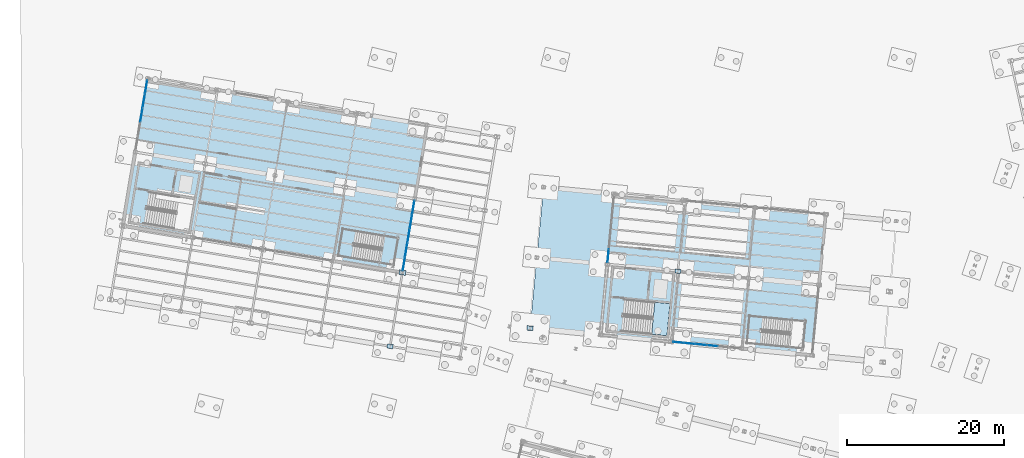
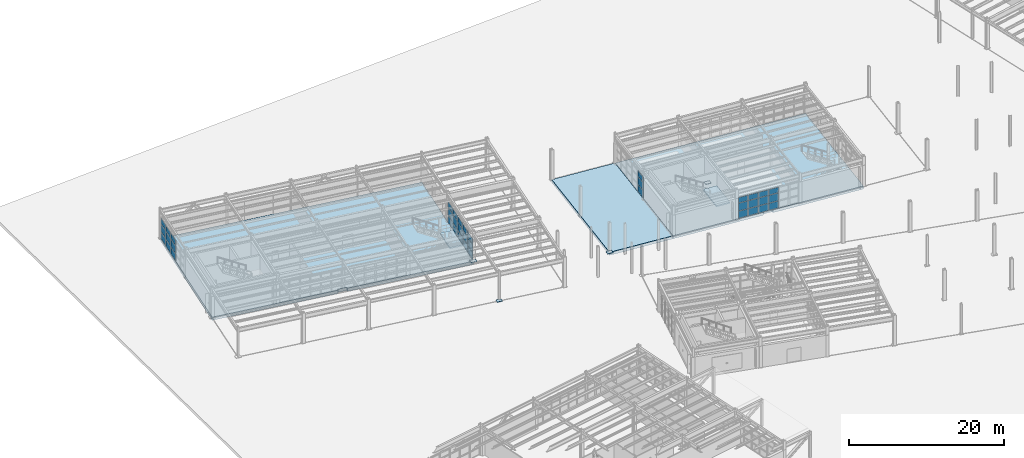
# One storey, part 64 of 108: 43 plates, 5 slabs, 6 elements without a shape of their own.
"""IFC4 building model written with IfcOpenShell, lengths in metres."""

import ifcopenshell
import ifcopenshell.guid

model = None  # the IFC model being written
_history = None  # IfcOwnerHistory: only IFC2X3 demands one
_inside = {}  # id of a spatial element -> (the spatial element, [elements in it])
_under = {}  # id of a project, library or spatial element -> (it, [spatial elements below it])
_declared = {}  # id of a project -> (the project, [libraries it declares])
_typed = {}  # id of a type object -> (the type object, [elements of that type])
_made_of = {}  # id of a material, layer set ... -> (it, [elements and type objects made of it])


def new_model(schema):
    """Start an empty IFC model of exactly this schema.

    Asked for "IFC4X3", IfcOpenShell would pick the latest addendum, in which some entities
    have other attributes; the version numbers below select the first issue.
    IFC2X3 requires an IfcOwnerHistory on every rooted entity: one is made here for all.
    """
    global model, _history
    if schema == "IFC4X3":
        model = ifcopenshell.file(schema_version=(4, 3, 0, 0))
    else:
        model = ifcopenshell.file(schema=schema)
    _inside.clear()
    _under.clear()
    _declared.clear()
    _typed.clear()
    _made_of.clear()
    _history = None
    if model.schema == "IFC2X3":
        org = make("IfcOrganization", Name="unknown")
        user = make(
            "IfcPersonAndOrganization",
            ThePerson=make("IfcPerson", FamilyName="unknown"),
            TheOrganization=org,
        )
        app = make(
            "IfcApplication",
            ApplicationDeveloper=org,
            Version="unknown",
            ApplicationFullName="unknown",
            ApplicationIdentifier="unknown",
        )
        _history = make(
            "IfcOwnerHistory",
            OwningUser=user,
            OwningApplication=app,
            ChangeAction="ADDED",
            CreationDate=0,
        )
    return model


def make(cls, **values):
    """One entity of the class cls with the attributes given. An attribute that is None is left unset."""
    return model.create_entity(
        cls, **{name: value for name, value in values.items() if value is not None}
    )


def rooted(cls, **values):
    """An entity with a GlobalId (a new one), such as an element, a storey or a relation."""
    return make(cls, GlobalId=ifcopenshell.guid.new(), OwnerHistory=_history, **values)


def si_unit(unit_type, name, prefix=None):
    """IfcSIUnit, for example si_unit("LENGTHUNIT", "METRE", prefix="MILLI")."""
    return make("IfcSIUnit", UnitType=unit_type, Prefix=prefix, Name=name)


def assignment(units):
    """IfcUnitAssignment: the units of a project."""
    return None if units is None else make("IfcUnitAssignment", Units=units)


def point(xyz):
    """IfcCartesianPoint."""
    return None if xyz is None else make("IfcCartesianPoint", Coordinates=xyz)


def direction(xyz):
    """IfcDirection."""
    return None if xyz is None else make("IfcDirection", DirectionRatios=xyz)


def frame(location, z_axis=None, x_axis=None):
    """IfcAxis2Placement3D, a coordinate frame: its origin and axes. An axis left out is left unset."""
    return make(
        "IfcAxis2Placement3D",
        Location=point(location),
        Axis=direction(z_axis),
        RefDirection=direction(x_axis),
    )


def frame_2d(location, x_axis=None):
    """IfcAxis2Placement2D, a coordinate frame in the plane: its origin and x axis."""
    return make(
        "IfcAxis2Placement2D", Location=point(location), RefDirection=direction(x_axis)
    )


def origin():
    """The frame at (0, 0, 0) with its axes left unset."""
    return frame((0.0, 0.0, 0.0))


def origin_2d():
    """The frame at (0, 0) in the plane with its x axis left unset."""
    return frame_2d((0.0, 0.0))


def place(relative_to, where):
    """IfcLocalPlacement: puts the frame where relative to a parent placement (None: the world)."""
    return make(
        "IfcLocalPlacement", PlacementRelTo=relative_to, RelativePlacement=where
    )


def context(
    kind, dimensions, precision=None, world=None, true_north=None, identifier=None
):
    """IfcGeometricRepresentationContext, for example the 3D "Model" context."""
    return make(
        "IfcGeometricRepresentationContext",
        ContextIdentifier=identifier,
        ContextType=kind,
        CoordinateSpaceDimension=dimensions,
        Precision=precision,
        WorldCoordinateSystem=world,
        TrueNorth=true_north,
    )


def subcontext(parent, identifier, kind, view, scale=None):
    """IfcGeometricRepresentationSubContext, for example "Body" below "Model"."""
    return make(
        "IfcGeometricRepresentationSubContext",
        ContextIdentifier=identifier,
        ContextType=kind,
        ParentContext=parent,
        TargetScale=scale,
        TargetView=view,
    )


def project(units=None, contexts=None):
    """IfcProject with its units and contexts."""
    return rooted(
        "IfcProject",
        Name="project",
        RepresentationContexts=contexts,
        UnitsInContext=assignment(units),
    )


def spatial(cls, under=None, at=None, **own):
    """A site, building, storey or space (cls), placed at a placement, below another one or the project."""
    s = rooted(cls, ObjectPlacement=at, **own)
    if under is not None:
        _under.setdefault(under.id(), (under, []))[1].append(s)
    return s


def polyline(points):
    """IfcPolyline through the points."""
    return make("IfcPolyline", Points=[point(p) for p in points])


def profile(cls, at=None, kind="AREA", **sizes):
    """A parametric profile (cls). Its sizes go by their IFC names, for example OverallWidth=200.0."""
    return make(cls, ProfileType=kind, Position=at, **sizes)


def rectangle(**sizes):
    """IfcRectangleProfileDef."""
    return profile("IfcRectangleProfileDef", **sizes)


def outline(outer, holes=None, kind="AREA"):
    """IfcArbitraryClosedProfileDef: a profile drawn as a closed curve; with holes, ...WithVoids."""
    if holes is None:
        return make("IfcArbitraryClosedProfileDef", ProfileType=kind, OuterCurve=outer)
    return make(
        "IfcArbitraryProfileDefWithVoids",
        ProfileType=kind,
        OuterCurve=outer,
        InnerCurves=holes,
    )


def extrude(swept, where, along, depth):
    """IfcExtrudedAreaSolid: the profile swept, set in the frame where, extruded along a direction by depth."""
    return make(
        "IfcExtrudedAreaSolid",
        SweptArea=swept,
        Position=where,
        ExtrudedDirection=direction(along),
        Depth=depth,
    )


def shape(context_of_items, identifier, shape_type, items):
    """IfcShapeRepresentation: the items that make up one representation, for example the "Body"."""
    return make(
        "IfcShapeRepresentation",
        ContextOfItems=context_of_items,
        RepresentationIdentifier=identifier,
        RepresentationType=shape_type,
        Items=items,
    )


def material(Name=None, Category=None):
    """IfcMaterial."""
    return make("IfcMaterial", Name=Name, Category=Category)


def layer(
    of_material, thickness, ventilated=None, Name=None, Category=None, Priority=None
):
    """IfcMaterialLayer: one layer of a wall or slab, of a material (None: an air gap)."""
    return make(
        "IfcMaterialLayer",
        Material=of_material,
        LayerThickness=thickness,
        IsVentilated=ventilated,
        Name=Name,
        Category=Category,
        Priority=Priority,
    )


def layer_set(layers, Name=None):
    """IfcMaterialLayerSet."""
    return make("IfcMaterialLayerSet", MaterialLayers=layers, LayerSetName=Name)


def made_of(thing, what):
    """Note that an element or type object is made of a material, layer set ...; save() writes the relation."""
    if what is not None:
        _made_of.setdefault(what.id(), (what, []))[1].append(thing)
    return thing


def type_object(cls, material=None, **own):
    """A type object (cls), such as IfcWallType, which elements share."""
    return made_of(rooted(cls, **own), material)


def element(
    cls,
    number,
    at=None,
    inside=None,
    cuts=None,
    type_object=None,
    material=None,
    context=None,
    identifier="Body",
    shape_type=None,
    held_by="IfcProductDefinitionShape",
    body=None,
    shapes=None,
    **own,
):
    """One element of the class cls, such as IfcWall. Its Tag is "e" and its number.

    at: its placement. inside: the storey or other place that contains it. cuts: it is an
    opening in that element (IfcRelVoidsElement). A single representation is given by context,
    identifier, shape_type and body (its items); several are given by shapes. held_by: the class
    of the entity that holds the representations. save() writes the other relations.
    """
    e = rooted(cls, Tag="e%d" % number, ObjectPlacement=at, **own)
    if body is not None:
        shapes = [shape(context, identifier, shape_type, body)]
    if shapes is not None:
        e.Representation = make(held_by, Representations=shapes)
    if inside is not None:
        _inside.setdefault(inside.id(), (inside, []))[1].append(e)
    if cuts is not None:
        rooted(
            "IfcRelVoidsElement", RelatingBuildingElement=cuts, RelatedOpeningElement=e
        )
    if type_object is not None:
        _typed.setdefault(type_object.id(), (type_object, []))[1].append(e)
    return made_of(e, material)


def aggregate(whole, parts):
    """IfcRelAggregates: a whole, such as a stair, and the parts it consists of."""
    return rooted("IfcRelAggregates", RelatingObject=whole, RelatedObjects=parts)


def save(model, path):
    """Write the relations noted so far, then the file.

    IfcRelAggregates (storeys below a building ...), IfcRelContainedInSpatialStructure (elements
    in a storey), IfcRelDefinesByType, IfcRelAssociatesMaterial and IfcRelDeclares: one each for
    every whole, place, type object, material and project.
    """
    for whole, parts in _under.values():
        aggregate(whole, parts)
    for where, things in _inside.values():
        rooted(
            "IfcRelContainedInSpatialStructure",
            RelatedElements=things,
            RelatingStructure=where,
        )
    for kind, things in _typed.values():
        rooted("IfcRelDefinesByType", RelatedObjects=things, RelatingType=kind)
    for what, things in _made_of.values():
        rooted("IfcRelAssociatesMaterial", RelatedObjects=things, RelatingMaterial=what)
    for by, libraries in _declared.values():
        rooted("IfcRelDeclares", RelatingContext=by, RelatedDefinitions=libraries)
    model.write(path)


model = new_model("IFC4")

# Units and contexts
model_context = context("Model", 3, precision=1e-05, world=origin(), true_north=direction((0.0, 1.0)))
body_context = subcontext(model_context, "Body", "Model", "MODEL_VIEW")
ifc_project = project(units=[si_unit("LENGTHUNIT", "METRE"), si_unit("AREAUNIT", "SQUARE_METRE"), si_unit("VOLUMEUNIT", "CUBIC_METRE"), si_unit("PLANEANGLEUNIT", "RADIAN"), si_unit("MASSUNIT", "GRAM", prefix="KILO")], contexts=[model_context])

# Site, building, storey
site_placement = place(None, origin())
site = spatial("IfcSite", under=ifc_project, at=site_placement, CompositionType="ELEMENT")
building_placement = place(site_placement, origin())
building = spatial("IfcBuilding", under=site, at=building_placement, Name="Vireo Bluff Cable Station", CompositionType="ELEMENT")
storey_placement = place(building_placement, origin())
storey = spatial("IfcBuildingStorey", under=building, at=storey_placement, Name="L00", CompositionType="ELEMENT", Elevation=0.0)

# Plates
ifc_material_1 = material(Name="Steel ASTM A572 Gr. 50", Category="steel")
ifc_layer_1 = layer(ifc_material_1, 0.047119140625, Name="Steel ASTM A572 Gr. 50")
ifc_layer_set_1 = layer_set([ifc_layer_1], Name="Steel ASTM A572 Gr. 50")
plate_type_1 = type_object("IfcPlateType", Name="BASEPLATE-740X550X47", PredefinedType="SHEET", material=ifc_layer_set_1)
for number, where, z_axis, x_axis, name in (
    (1, (77.559326171875, 75.099853515625, 0.0), (0.0, 0.0, 1.0), (0.995396198367, -0.09584575252, 0.0), "V3 column baseplate 126"),
    (2, (41.00634765625, 65.558349609375, 0.0), (0.0, 0.0, 1.0), (0.986285601537, -0.165047605861, 0.0), "V4 column baseplate 174"),
):
    element("IfcPlate", number, at=place(storey_placement, frame(where, z_axis=z_axis, x_axis=x_axis)), inside=storey, type_object=plate_type_1, Name=name, PredefinedType="SHEET", context=body_context, shape_type="SweptSolid", body=[
        extrude(rectangle(XDim=0.739990234375, YDim=0.550048828125, at=origin_2d()), origin(), (0.0, 0.0, 1.0), 0.047119140625),
    ])
ifc_layer_2 = layer(ifc_material_1, 0.050048828125, Name="Steel ASTM A572 Gr. 50")
ifc_layer_set_2 = layer_set([ifc_layer_2], Name="Steel ASTM A572 Gr. 50")
plate_type_2 = type_object("IfcPlateType", Name="BASEPLATE-780X580X50", PredefinedType="SHEET", material=ifc_layer_set_2)
plate_1_placement = place(storey_placement, frame((58.779541015625, 67.866455078125, 0.0), z_axis=(0.0, 0.0, 1.0), x_axis=(0.995396198367, -0.09584575252, 0.0)))
element("IfcPlate", 3, at=plate_1_placement, inside=storey, type_object=plate_type_2, Name="V3 column baseplate 119", PredefinedType="SHEET", context=body_context, shape_type="SweptSolid", body=[
    extrude(rectangle(XDim=0.780029296875, YDim=0.580078125, at=origin_2d()), origin(), (0.0, 0.0, 1.0), 0.050048828125),
])
ifc_layer_3 = layer(ifc_material_1, 0.052001953125, Name="Steel ASTM A572 Gr. 50")
ifc_layer_set_3 = layer_set([ifc_layer_3], Name="Steel ASTM A572 Gr. 50")
plate_type_3 = type_object("IfcPlateType", Name="BASEPLATE-820X600X52", PredefinedType="SHEET", material=ifc_layer_set_3)
plate_2_placement = place(storey_placement, frame((42.57421875, 74.927978515625, 0.0), z_axis=(0.0, 0.0, 1.0), x_axis=(0.986285601537, -0.165047605861, 0.0)))
element("IfcPlate", 4, at=plate_2_placement, inside=storey, type_object=plate_type_3, Name="V4 column baseplate 175", PredefinedType="SHEET", context=body_context, shape_type="SweptSolid", body=[
    extrude(rectangle(XDim=0.820068359375, YDim=0.60009765625, at=origin_2d()), origin(), (0.0, 0.0, 1.0), 0.052001953125),
])

# Curtain wall, plates
ifc_material_2 = material(Name="Anodized Aluminium 6063-T6", Category="aluminium")
ifc_layer_4 = layer(ifc_material_2, 0.179931640625, Name="Anodized Aluminium 6063-T6")
ifc_layer_set_4 = layer_set([ifc_layer_4], Name="Anodized Aluminium 6063-T6")
curtain_wall_type_1 = type_object("IfcCurtainWallType", Name="CW-UNIT-1500", PredefinedType="USERDEFINED", material=ifc_layer_set_4)
curtain_wall_1_placement = place(storey_placement, origin())
curtain_wall_1 = element("IfcCurtainWall", 5, at=curtain_wall_1_placement, inside=storey, type_object=curtain_wall_type_1, Name="V3 L00 south curtain wall CW-067", ObjectType="UNITISED CURTAIN WALL", PredefinedType="USERDEFINED")
ifc_material_3 = material(Name="Laminated Low-E Insulated Glass", Category="glass")
ifc_layer_5 = layer(ifc_material_3, 0.035888671875, Name="Laminated Low-E Insulated Glass")
ifc_layer_set_5 = layer_set([ifc_layer_5], Name="Laminated Low-E Insulated Glass")
plate_type_4 = type_object("IfcPlateType", Name="CWP-36-3", PredefinedType="CURTAIN_PANEL", material=ifc_layer_set_5)
plate_3_placement = place(storey_placement, frame((81.9326171875, 65.63720703125, 0.080078125), z_axis=(0.0, 0.0, 1.0), x_axis=(-0.995396201092, 0.09584572422, 0.0)))
plate_3 = element("IfcPlate", 6, at=plate_3_placement, type_object=plate_type_4, Name="CW-067 panel 3.1", PredefinedType="CURTAIN_PANEL", context=body_context, shape_type="SweptSolid", body=[
    extrude(rectangle(XDim=1.3642578125, YDim=0.035888671875, at=origin_2d()), origin(), (0.0, 0.0, 1.0), 1.070068359375),
])
plate_4_placement = place(storey_placement, frame((81.9326171875, 65.63720703125, 1.22998046875), z_axis=(0.0, 0.0, 1.0), x_axis=(-0.995396201092, 0.09584572422, 0.0)))
plate_4 = element("IfcPlate", 7, at=plate_4_placement, type_object=plate_type_4, Name="CW-067 panel 3.2", PredefinedType="CURTAIN_PANEL", context=body_context, shape_type="SweptSolid", body=[
    extrude(rectangle(XDim=1.3642578125, YDim=0.035888671875, at=origin_2d()), origin(), (0.0, 0.0, 1.0), 1.177978515625),
])
plate_5_placement = place(storey_placement, frame((81.9326171875, 65.63720703125, 2.488037109375), z_axis=(0.0, 0.0, 1.0), x_axis=(-0.995396201092, 0.09584572422, 0.0)))
plate_5 = element("IfcPlate", 8, at=plate_5_placement, type_object=plate_type_4, Name="CW-067 panel 3.3", PredefinedType="CURTAIN_PANEL", context=body_context, shape_type="SweptSolid", body=[
    extrude(rectangle(XDim=1.3642578125, YDim=0.035888671875, at=origin_2d()), origin(), (0.0, 0.0, 1.0), 0.83203125),
])
plate_6_placement = place(storey_placement, frame((80.494873046875, 65.775634765625, 0.080078125), z_axis=(0.0, 0.0, 1.0), x_axis=(-0.995396201092, 0.09584572422, 0.0)))
plate_6 = element("IfcPlate", 9, at=plate_6_placement, type_object=plate_type_4, Name="CW-067 panel 4.1", PredefinedType="CURTAIN_PANEL", context=body_context, shape_type="SweptSolid", body=[
    extrude(rectangle(XDim=1.3642578125, YDim=0.035888671875, at=origin_2d()), origin(), (0.0, 0.0, 1.0), 1.070068359375),
])
plate_7_placement = place(storey_placement, frame((80.494873046875, 65.775634765625, 1.22998046875), z_axis=(0.0, 0.0, 1.0), x_axis=(-0.995396201092, 0.09584572422, 0.0)))
plate_7 = element("IfcPlate", 10, at=plate_7_placement, type_object=plate_type_4, Name="CW-067 panel 4.2", PredefinedType="CURTAIN_PANEL", context=body_context, shape_type="SweptSolid", body=[
    extrude(rectangle(XDim=1.3642578125, YDim=0.035888671875, at=origin_2d()), origin(), (0.0, 0.0, 1.0), 1.177978515625),
])
plate_8_placement = place(storey_placement, frame((80.494873046875, 65.775634765625, 2.488037109375), z_axis=(0.0, 0.0, 1.0), x_axis=(-0.995396201092, 0.09584572422, 0.0)))
plate_8 = element("IfcPlate", 11, at=plate_8_placement, type_object=plate_type_4, Name="CW-067 panel 4.3", PredefinedType="CURTAIN_PANEL", context=body_context, shape_type="SweptSolid", body=[
    extrude(rectangle(XDim=1.3642578125, YDim=0.035888671875, at=origin_2d()), origin(), (0.0, 0.0, 1.0), 0.83203125),
])
plate_9_placement = place(storey_placement, frame((79.05712890625, 65.9140625, 0.080078125), z_axis=(0.0, 0.0, 1.0), x_axis=(-0.995396201092, 0.09584572422, 0.0)))
plate_9 = element("IfcPlate", 12, at=plate_9_placement, type_object=plate_type_4, Name="CW-067 panel 5.1", PredefinedType="CURTAIN_PANEL", context=body_context, shape_type="SweptSolid", body=[
    extrude(rectangle(XDim=1.3642578125, YDim=0.035888671875, at=origin_2d()), origin(), (0.0, 0.0, 1.0), 1.070068359375),
])
plate_10_placement = place(storey_placement, frame((79.05712890625, 65.9140625, 1.22998046875), z_axis=(0.0, 0.0, 1.0), x_axis=(-0.995396201092, 0.09584572422, 0.0)))
plate_10 = element("IfcPlate", 13, at=plate_10_placement, type_object=plate_type_4, Name="CW-067 panel 5.2", PredefinedType="CURTAIN_PANEL", context=body_context, shape_type="SweptSolid", body=[
    extrude(rectangle(XDim=1.3642578125, YDim=0.035888671875, at=origin_2d()), origin(), (0.0, 0.0, 1.0), 1.177978515625),
])
plate_11_placement = place(storey_placement, frame((79.05712890625, 65.9140625, 2.488037109375), z_axis=(0.0, 0.0, 1.0), x_axis=(-0.995396201092, 0.09584572422, 0.0)))
plate_11 = element("IfcPlate", 14, at=plate_11_placement, type_object=plate_type_4, Name="CW-067 panel 5.3", PredefinedType="CURTAIN_PANEL", context=body_context, shape_type="SweptSolid", body=[
    extrude(rectangle(XDim=1.3642578125, YDim=0.035888671875, at=origin_2d()), origin(), (0.0, 0.0, 1.0), 0.83203125),
])
plate_12_placement = place(storey_placement, frame((77.639404296875, 66.050537109375, 0.080078125), z_axis=(0.0, 0.0, 1.0), x_axis=(-0.995396201092, 0.09584572422, 0.0)))
plate_12 = element("IfcPlate", 15, at=plate_12_placement, type_object=plate_type_4, Name="CW-067 panel 6.1", PredefinedType="CURTAIN_PANEL", context=body_context, shape_type="SweptSolid", body=[
    extrude(rectangle(XDim=1.32421875, YDim=0.035888671875, at=origin_2d()), origin(), (0.0, 0.0, 1.0), 1.070068359375),
])
plate_13_placement = place(storey_placement, frame((77.639404296875, 66.050537109375, 1.22998046875), z_axis=(0.0, 0.0, 1.0), x_axis=(-0.995396201092, 0.09584572422, 0.0)))
plate_13 = element("IfcPlate", 16, at=plate_13_placement, type_object=plate_type_4, Name="CW-067 panel 6.2", PredefinedType="CURTAIN_PANEL", context=body_context, shape_type="SweptSolid", body=[
    extrude(rectangle(XDim=1.32421875, YDim=0.035888671875, at=origin_2d()), origin(), (0.0, 0.0, 1.0), 1.177978515625),
])
plate_14_placement = place(storey_placement, frame((77.639404296875, 66.050537109375, 2.488037109375), z_axis=(0.0, 0.0, 1.0), x_axis=(-0.995396201092, 0.09584572422, 0.0)))
plate_14 = element("IfcPlate", 17, at=plate_14_placement, type_object=plate_type_4, Name="CW-067 panel 6.3", PredefinedType="CURTAIN_PANEL", context=body_context, shape_type="SweptSolid", body=[
    extrude(rectangle(XDim=1.32421875, YDim=0.035888671875, at=origin_2d()), origin(), (0.0, 0.0, 1.0), 0.83203125),
])
aggregate(curtain_wall_1, [plate_3, plate_4, plate_5, plate_6, plate_7, plate_8, plate_9, plate_10, plate_11, plate_12, plate_13, plate_14])

ifc_layer_6 = layer(ifc_material_2, 0.179931640625, Name="Anodized Aluminium 6063-T6")
ifc_layer_set_6 = layer_set([ifc_layer_6], Name="Anodized Aluminium 6063-T6")
curtain_wall_type_2 = type_object("IfcCurtainWallType", Name="CW-UNIT-1650", PredefinedType="USERDEFINED", material=ifc_layer_set_6)
curtain_wall_2_placement = place(storey_placement, origin())
curtain_wall_2 = element("IfcCurtainWall", 18, at=curtain_wall_2_placement, inside=storey, type_object=curtain_wall_type_2, Name="V3 L00 west curtain wall CW-068", ObjectType="UNITISED CURTAIN WALL", PredefinedType="USERDEFINED")
ifc_material_4 = material(Name="Insulated Spandrel Glass Panel", Category="glass")
ifc_layer_7 = layer(ifc_material_4, 0.0419921875, Name="Insulated Spandrel Glass Panel")
ifc_layer_set_7 = layer_set([ifc_layer_7], Name="Insulated Spandrel Glass Panel")
plate_type_5 = type_object("IfcPlateType", Name="CWP-42-4", PredefinedType="CURTAIN_PANEL", material=ifc_layer_set_7)
plate_15_placement = place(storey_placement, frame((68.705078125, 77.047607421875, 0.06494140625), z_axis=(0.0, 0.0, 1.0), x_axis=(0.095845740533, 0.995396199521, 0.0)))
plate_15 = element("IfcPlate", 19, at=plate_15_placement, type_object=plate_type_5, Name="CW-068 panel 1.1", PredefinedType="CURTAIN_PANEL", context=body_context, shape_type="SweptSolid", body=[
    extrude(rectangle(XDim=1.62939453125, YDim=0.0419921875, at=origin_2d()), origin(), (0.0, 0.0, 1.0), 1.092529296875),
])
plate_16_placement = place(storey_placement, frame((68.705078125, 77.047607421875, 1.22265625), z_axis=(0.0, 0.0, 1.0), x_axis=(0.095845740533, 0.995396199521, 0.0)))
plate_16 = element("IfcPlate", 20, at=plate_16_placement, type_object=plate_type_5, Name="CW-068 panel 1.2", PredefinedType="CURTAIN_PANEL", context=body_context, shape_type="SweptSolid", body=[
    extrude(rectangle(XDim=1.62939453125, YDim=0.0419921875, at=origin_2d()), origin(), (0.0, 0.0, 1.0), 1.193115234375),
])
plate_17_placement = place(storey_placement, frame((68.705078125, 77.047607421875, 2.48046875), z_axis=(0.0, 0.0, 1.0), x_axis=(0.095845740533, 0.995396199521, 0.0)))
plate_17 = element("IfcPlate", 21, at=plate_17_placement, type_object=plate_type_5, Name="CW-068 panel 1.3", PredefinedType="CURTAIN_PANEL", context=body_context, shape_type="SweptSolid", body=[
    extrude(rectangle(XDim=1.62939453125, YDim=0.0419921875, at=origin_2d()), origin(), (0.0, 0.0, 1.0), 0.8544921875),
])
aggregate(curtain_wall_2, [plate_15, plate_16, plate_17])

ifc_layer_8 = layer(ifc_material_2, 0.159912109375, Name="Anodized Aluminium 6063-T6")
ifc_layer_set_8 = layer_set([ifc_layer_8], Name="Anodized Aluminium 6063-T6")
curtain_wall_type_3 = type_object("IfcCurtainWallType", Name="CW-STICK-1850", PredefinedType="USERDEFINED", material=ifc_layer_set_8)
curtain_wall_3_placement = place(storey_placement, origin())
curtain_wall_3 = element("IfcCurtainWall", 22, at=curtain_wall_3_placement, inside=storey, type_object=curtain_wall_type_3, Name="V4 L00 west curtain wall CW-083", ObjectType="STICK CURTAIN WALL", PredefinedType="USERDEFINED")
plate_18_placement = place(storey_placement, frame((9.421875, 94.935546875, 0.080078125), z_axis=(0.0, 0.0, 1.0), x_axis=(0.165047582605, 0.986285605429, 0.0)))
plate_18 = element("IfcPlate", 23, at=plate_18_placement, type_object=plate_type_5, Name="CW-083 panel 3.1", PredefinedType="CURTAIN_PANEL", context=body_context, shape_type="SweptSolid", body=[
    extrude(rectangle(XDim=1.743896484375, YDim=0.0419921875, at=origin_2d()), origin(), (0.0, 0.0, 1.0), 1.070068359375),
])
plate_19_placement = place(storey_placement, frame((9.421875, 94.935546875, 1.22998046875), z_axis=(0.0, 0.0, 1.0), x_axis=(0.165047582605, 0.986285605429, 0.0)))
plate_19 = element("IfcPlate", 24, at=plate_19_placement, type_object=plate_type_5, Name="CW-083 panel 3.2", PredefinedType="CURTAIN_PANEL", context=body_context, shape_type="SweptSolid", body=[
    extrude(rectangle(XDim=1.743896484375, YDim=0.0419921875, at=origin_2d()), origin(), (0.0, 0.0, 1.0), 1.177978515625),
])
plate_20_placement = place(storey_placement, frame((9.421875, 94.935546875, 2.488037109375), z_axis=(0.0, 0.0, 1.0), x_axis=(0.165047582605, 0.986285605429, 0.0)))
plate_20 = element("IfcPlate", 25, at=plate_20_placement, type_object=plate_type_5, Name="CW-083 panel 3.3", PredefinedType="CURTAIN_PANEL", context=body_context, shape_type="SweptSolid", body=[
    extrude(rectangle(XDim=1.743896484375, YDim=0.0419921875, at=origin_2d()), origin(), (0.0, 0.0, 1.0), 0.83203125),
])
plate_21_placement = place(storey_placement, frame((9.722900390625, 96.734619140625, 0.080078125), z_axis=(0.0, 0.0, 1.0), x_axis=(0.165047582605, 0.986285605429, 0.0)))
plate_21 = element("IfcPlate", 26, at=plate_21_placement, type_object=plate_type_5, Name="CW-083 panel 4.1", PredefinedType="CURTAIN_PANEL", context=body_context, shape_type="SweptSolid", body=[
    extrude(rectangle(XDim=1.743896484375, YDim=0.0419921875, at=origin_2d()), origin(), (0.0, 0.0, 1.0), 1.070068359375),
])
plate_22_placement = place(storey_placement, frame((9.722900390625, 96.734619140625, 1.22998046875), z_axis=(0.0, 0.0, 1.0), x_axis=(0.165047582605, 0.986285605429, 0.0)))
plate_22 = element("IfcPlate", 27, at=plate_22_placement, type_object=plate_type_5, Name="CW-083 panel 4.2", PredefinedType="CURTAIN_PANEL", context=body_context, shape_type="SweptSolid", body=[
    extrude(rectangle(XDim=1.743896484375, YDim=0.0419921875, at=origin_2d()), origin(), (0.0, 0.0, 1.0), 1.177978515625),
])
plate_23_placement = place(storey_placement, frame((9.722900390625, 96.734619140625, 2.488037109375), z_axis=(0.0, 0.0, 1.0), x_axis=(0.165047582605, 0.986285605429, 0.0)))
plate_23 = element("IfcPlate", 28, at=plate_23_placement, type_object=plate_type_5, Name="CW-083 panel 4.3", PredefinedType="CURTAIN_PANEL", context=body_context, shape_type="SweptSolid", body=[
    extrude(rectangle(XDim=1.743896484375, YDim=0.0419921875, at=origin_2d()), origin(), (0.0, 0.0, 1.0), 0.83203125),
])
plate_24_placement = place(storey_placement, frame((10.0205078125, 98.513916015625, 0.080078125), z_axis=(0.0, 0.0, 1.0), x_axis=(0.165047582605, 0.986285605429, 0.0)))
plate_24 = element("IfcPlate", 29, at=plate_24_placement, type_object=plate_type_5, Name="CW-083 panel 5.1", PredefinedType="CURTAIN_PANEL", context=body_context, shape_type="SweptSolid", body=[
    extrude(rectangle(XDim=1.7041015625, YDim=0.0419921875, at=origin_2d()), origin(), (0.0, 0.0, 1.0), 1.070068359375),
])
plate_25_placement = place(storey_placement, frame((10.0205078125, 98.513916015625, 1.22998046875), z_axis=(0.0, 0.0, 1.0), x_axis=(0.165047582605, 0.986285605429, 0.0)))
plate_25 = element("IfcPlate", 30, at=plate_25_placement, type_object=plate_type_5, Name="CW-083 panel 5.2", PredefinedType="CURTAIN_PANEL", context=body_context, shape_type="SweptSolid", body=[
    extrude(rectangle(XDim=1.7041015625, YDim=0.0419921875, at=origin_2d()), origin(), (0.0, 0.0, 1.0), 1.177978515625),
])
plate_26_placement = place(storey_placement, frame((10.0205078125, 98.513916015625, 2.488037109375), z_axis=(0.0, 0.0, 1.0), x_axis=(0.165047582605, 0.986285605429, 0.0)))
plate_26 = element("IfcPlate", 31, at=plate_26_placement, type_object=plate_type_5, Name="CW-083 panel 5.3", PredefinedType="CURTAIN_PANEL", context=body_context, shape_type="SweptSolid", body=[
    extrude(rectangle(XDim=1.7041015625, YDim=0.0419921875, at=origin_2d()), origin(), (0.0, 0.0, 1.0), 0.83203125),
])
aggregate(curtain_wall_3, [plate_18, plate_19, plate_20, plate_21, plate_22, plate_23, plate_24, plate_25, plate_26])

ifc_layer_9 = layer(ifc_material_2, 0.159912109375, Name="Anodized Aluminium 6063-T6")
ifc_layer_set_9 = layer_set([ifc_layer_9], Name="Anodized Aluminium 6063-T6")
curtain_wall_type_4 = type_object("IfcCurtainWallType", Name="CW-STICK-1750", PredefinedType="USERDEFINED", material=ifc_layer_set_9)
curtain_wall_4_placement = place(storey_placement, origin())
curtain_wall_4 = element("IfcCurtainWall", 32, at=curtain_wall_4_placement, inside=storey, type_object=curtain_wall_type_4, Name="V4 L00 east curtain wall CW-084", ObjectType="STICK CURTAIN WALL", PredefinedType="USERDEFINED")
ifc_layer_10 = layer(ifc_material_4, 0.048095703125, Name="Insulated Spandrel Glass Panel")
ifc_layer_set_10 = layer_set([ifc_layer_10], Name="Insulated Spandrel Glass Panel")
plate_type_6 = type_object("IfcPlateType", Name="CWP-48-5", PredefinedType="CURTAIN_PANEL", material=ifc_layer_set_10)
plate_27_placement = place(storey_placement, frame((43.954833984375, 83.177734375, 0.06494140625), z_axis=(0.0, 0.0, 1.0), x_axis=(-0.165047653974, -0.986285593486, 0.0)))
plate_27 = element("IfcPlate", 33, at=plate_27_placement, type_object=plate_type_6, Name="CW-084 panel 1.1", PredefinedType="CURTAIN_PANEL", context=body_context, shape_type="SweptSolid", body=[
    extrude(rectangle(XDim=1.72021484375, YDim=0.048095703125, at=origin_2d()), origin(), (0.0, 0.0, 1.0), 1.092529296875),
])
plate_28_placement = place(storey_placement, frame((43.954833984375, 83.177734375, 1.22265625), z_axis=(0.0, 0.0, 1.0), x_axis=(-0.165047653974, -0.986285593486, 0.0)))
plate_28 = element("IfcPlate", 34, at=plate_28_placement, type_object=plate_type_6, Name="CW-084 panel 1.2", PredefinedType="CURTAIN_PANEL", context=body_context, shape_type="SweptSolid", body=[
    extrude(rectangle(XDim=1.72021484375, YDim=0.048095703125, at=origin_2d()), origin(), (0.0, 0.0, 1.0), 1.193115234375),
])
plate_29_placement = place(storey_placement, frame((43.954833984375, 83.177734375, 2.48046875), z_axis=(0.0, 0.0, 1.0), x_axis=(-0.165047653974, -0.986285593486, 0.0)))
plate_29 = element("IfcPlate", 35, at=plate_29_placement, type_object=plate_type_6, Name="CW-084 panel 1.3", PredefinedType="CURTAIN_PANEL", context=body_context, shape_type="SweptSolid", body=[
    extrude(rectangle(XDim=1.72021484375, YDim=0.048095703125, at=origin_2d()), origin(), (0.0, 0.0, 1.0), 0.8544921875),
])
plate_30_placement = place(storey_placement, frame((43.657470703125, 81.401123046875, 0.06494140625), z_axis=(0.0, 0.0, 1.0), x_axis=(-0.165047653974, -0.986285593486, 0.0)))
plate_30 = element("IfcPlate", 36, at=plate_30_placement, type_object=plate_type_6, Name="CW-084 panel 2.1", PredefinedType="CURTAIN_PANEL", context=body_context, shape_type="SweptSolid", body=[
    extrude(rectangle(XDim=1.752685546875, YDim=0.048095703125, at=origin_2d()), origin(), (0.0, 0.0, 1.0), 1.092529296875),
])
plate_31_placement = place(storey_placement, frame((43.657470703125, 81.401123046875, 1.22265625), z_axis=(0.0, 0.0, 1.0), x_axis=(-0.165047653974, -0.986285593486, 0.0)))
plate_31 = element("IfcPlate", 37, at=plate_31_placement, type_object=plate_type_6, Name="CW-084 panel 2.2", PredefinedType="CURTAIN_PANEL", context=body_context, shape_type="SweptSolid", body=[
    extrude(rectangle(XDim=1.752685546875, YDim=0.048095703125, at=origin_2d()), origin(), (0.0, 0.0, 1.0), 1.193115234375),
])
plate_32_placement = place(storey_placement, frame((43.657470703125, 81.401123046875, 2.48046875), z_axis=(0.0, 0.0, 1.0), x_axis=(-0.165047653974, -0.986285593486, 0.0)))
plate_32 = element("IfcPlate", 38, at=plate_32_placement, type_object=plate_type_6, Name="CW-084 panel 2.3", PredefinedType="CURTAIN_PANEL", context=body_context, shape_type="SweptSolid", body=[
    extrude(rectangle(XDim=1.752685546875, YDim=0.048095703125, at=origin_2d()), origin(), (0.0, 0.0, 1.0), 0.8544921875),
])
plate_33_placement = place(storey_placement, frame((43.357421875, 79.6083984375, 0.06494140625), z_axis=(0.0, 0.0, 1.0), x_axis=(-0.165047653974, -0.986285593486, 0.0)))
plate_33 = element("IfcPlate", 39, at=plate_33_placement, type_object=plate_type_6, Name="CW-084 panel 3.1", PredefinedType="CURTAIN_PANEL", context=body_context, shape_type="SweptSolid", body=[
    extrude(rectangle(XDim=1.752685546875, YDim=0.048095703125, at=origin_2d()), origin(), (0.0, 0.0, 1.0), 1.092529296875),
])
plate_34_placement = place(storey_placement, frame((43.357421875, 79.6083984375, 1.22265625), z_axis=(0.0, 0.0, 1.0), x_axis=(-0.165047653974, -0.986285593486, 0.0)))
plate_34 = element("IfcPlate", 40, at=plate_34_placement, type_object=plate_type_6, Name="CW-084 panel 3.2", PredefinedType="CURTAIN_PANEL", context=body_context, shape_type="SweptSolid", body=[
    extrude(rectangle(XDim=1.752685546875, YDim=0.048095703125, at=origin_2d()), origin(), (0.0, 0.0, 1.0), 1.193115234375),
])
plate_35_placement = place(storey_placement, frame((43.357421875, 79.6083984375, 2.48046875), z_axis=(0.0, 0.0, 1.0), x_axis=(-0.165047653974, -0.986285593486, 0.0)))
plate_35 = element("IfcPlate", 41, at=plate_35_placement, type_object=plate_type_6, Name="CW-084 panel 3.3", PredefinedType="CURTAIN_PANEL", context=body_context, shape_type="SweptSolid", body=[
    extrude(rectangle(XDim=1.752685546875, YDim=0.048095703125, at=origin_2d()), origin(), (0.0, 0.0, 1.0), 0.8544921875),
])
plate_36_placement = place(storey_placement, frame((43.057373046875, 77.815673828125, 0.06494140625), z_axis=(0.0, 0.0, 1.0), x_axis=(-0.165047653974, -0.986285593486, 0.0)))
plate_36 = element("IfcPlate", 42, at=plate_36_placement, type_object=plate_type_6, Name="CW-084 panel 4.1", PredefinedType="CURTAIN_PANEL", context=body_context, shape_type="SweptSolid", body=[
    extrude(rectangle(XDim=1.752685546875, YDim=0.048095703125, at=origin_2d()), origin(), (0.0, 0.0, 1.0), 1.092529296875),
])
plate_37_placement = place(storey_placement, frame((43.057373046875, 77.815673828125, 1.22265625), z_axis=(0.0, 0.0, 1.0), x_axis=(-0.165047653974, -0.986285593486, 0.0)))
plate_37 = element("IfcPlate", 43, at=plate_37_placement, type_object=plate_type_6, Name="CW-084 panel 4.2", PredefinedType="CURTAIN_PANEL", context=body_context, shape_type="SweptSolid", body=[
    extrude(rectangle(XDim=1.752685546875, YDim=0.048095703125, at=origin_2d()), origin(), (0.0, 0.0, 1.0), 1.193115234375),
])
plate_38_placement = place(storey_placement, frame((43.057373046875, 77.815673828125, 2.48046875), z_axis=(0.0, 0.0, 1.0), x_axis=(-0.165047653974, -0.986285593486, 0.0)))
plate_38 = element("IfcPlate", 44, at=plate_38_placement, type_object=plate_type_6, Name="CW-084 panel 4.3", PredefinedType="CURTAIN_PANEL", context=body_context, shape_type="SweptSolid", body=[
    extrude(rectangle(XDim=1.752685546875, YDim=0.048095703125, at=origin_2d()), origin(), (0.0, 0.0, 1.0), 0.8544921875),
])
plate_39_placement = place(storey_placement, frame((42.76025390625, 76.0390625, 0.06494140625), z_axis=(0.0, 0.0, 1.0), x_axis=(-0.165047653974, -0.986285593486, 0.0)))
plate_39 = element("IfcPlate", 45, at=plate_39_placement, type_object=plate_type_6, Name="CW-084 panel 5.1", PredefinedType="CURTAIN_PANEL", context=body_context, shape_type="SweptSolid", body=[
    extrude(rectangle(XDim=1.72021484375, YDim=0.048095703125, at=origin_2d()), origin(), (0.0, 0.0, 1.0), 1.092529296875),
])
plate_40_placement = place(storey_placement, frame((42.76025390625, 76.0390625, 1.22265625), z_axis=(0.0, 0.0, 1.0), x_axis=(-0.165047653974, -0.986285593486, 0.0)))
plate_40 = element("IfcPlate", 46, at=plate_40_placement, type_object=plate_type_6, Name="CW-084 panel 5.2", PredefinedType="CURTAIN_PANEL", context=body_context, shape_type="SweptSolid", body=[
    extrude(rectangle(XDim=1.72021484375, YDim=0.048095703125, at=origin_2d()), origin(), (0.0, 0.0, 1.0), 1.193115234375),
])
plate_41_placement = place(storey_placement, frame((42.76025390625, 76.0390625, 2.48046875), z_axis=(0.0, 0.0, 1.0), x_axis=(-0.165047653974, -0.986285593486, 0.0)))
plate_41 = element("IfcPlate", 47, at=plate_41_placement, type_object=plate_type_6, Name="CW-084 panel 5.3", PredefinedType="CURTAIN_PANEL", context=body_context, shape_type="SweptSolid", body=[
    extrude(rectangle(XDim=1.72021484375, YDim=0.048095703125, at=origin_2d()), origin(), (0.0, 0.0, 1.0), 0.8544921875),
])
aggregate(curtain_wall_4, [plate_27, plate_28, plate_29, plate_30, plate_31, plate_32, plate_33, plate_34, plate_35, plate_36, plate_37, plate_38, plate_39, plate_40, plate_41])

# Slabs
ifc_material_5 = material(Name="Concrete f'c 40 MPa", Category="concrete")
ifc_layer_11 = layer(ifc_material_5, 0.47998046875, Name="Concrete f'c 40 MPa")
ifc_layer_set_11 = layer_set([ifc_layer_11], Name="Concrete f'c 40 MPa")
slab_type_1 = type_object("IfcSlabType", Name="GSL-480", PredefinedType="BASESLAB", material=ifc_layer_set_11)
slab_1_placement = place(storey_placement, frame((0.0, 0.0, -0.47998046875)))
element("IfcSlab", 48, at=slab_1_placement, inside=storey, type_object=slab_type_1, Name="V3 L00 base slab", PredefinedType="BASESLAB", context=body_context, shape_type="SweptSolid", body=[
    extrude(outline(polyline([(67.738037109375, 67.00390625), (80.529052734375, 65.772216796875), (80.550048828125, 65.9912109375), (81.843994140625, 65.86669921875), (81.822998046875, 65.647705078125), (94.61376953125, 64.416015625), (96.339111328125, 82.333251953125), (69.46337890625, 84.9208984375), (67.738037109375, 67.00390625)])), origin(), (0.0, 0.0, 1.0), 0.47998046875),
])
ifc_layer_12 = layer(ifc_material_5, 0.5, Name="Concrete f'c 40 MPa")
ifc_layer_set_12 = layer_set([ifc_layer_12], Name="Concrete f'c 40 MPa")
slab_type_2 = type_object("IfcSlabType", Name="GSL-500", PredefinedType="BASESLAB", material=ifc_layer_set_12)
slab_2_placement = place(storey_placement, frame((0.0, 0.0, -0.5)))
element("IfcSlab", 49, at=slab_2_placement, inside=storey, type_object=slab_type_2, Name="V4 L00 base slab", PredefinedType="BASESLAB", context=body_context, shape_type="SweptSolid", body=[
    extrude(outline(polyline([(7.06787109375, 80.86962890625), (24.179931640625, 78.006103515625), (24.21630859375, 78.22314453125), (25.49853515625, 78.008544921875), (25.462158203125, 77.79150390625), (42.57421875, 74.927978515625), (45.710205078125, 93.66748046875), (10.203857421875, 99.609130859375), (7.06787109375, 80.86962890625)])), origin(), (0.0, 0.0, 1.0), 0.5),
])
ifc_layer_13 = layer(ifc_material_5, 0.47998046875, Name="Concrete f'c 40 MPa")
ifc_layer_set_13 = layer_set([ifc_layer_13], Name="Concrete f'c 40 MPa")
slab_type_3 = type_object("IfcSlabType", Name="GSL-EXT-480", PredefinedType="BASESLAB", material=ifc_layer_set_13)
slab_3_placement = place(storey_placement, frame((0.0, 0.0, -0.47998046875)))
element("IfcSlab", 50, at=slab_3_placement, inside=storey, type_object=slab_type_3, Name="V3 L00 covered plinth deck 1", PredefinedType="BASESLAB", context=body_context, shape_type="SweptSolid", body=[
    extrude(outline(polyline([(58.779541015625, 67.866455078125), (60.504638671875, 85.78369140625), (69.433349609375, 84.923828125), (67.708251953125, 67.0068359375), (58.779541015625, 67.866455078125)])), origin(), (0.0, 0.0, 1.0), 0.47998046875),
])

# Stair, slab
stair_type_1 = type_object("IfcStairType", Name="STAIR-HT-1950", PredefinedType="HALF_TURN_STAIR", material=ifc_material_5)
stair_1_placement = place(storey_placement, origin())
stair_1 = element("IfcStair", 51, at=stair_1_placement, inside=storey, type_object=stair_type_1, Name="L00 CORE-1 Exit Stair ST-01", PredefinedType="HALF_TURN_STAIR")
ifc_layer_14 = layer(ifc_material_5, 0.18994140625, Name="Concrete f'c 40 MPa")
ifc_layer_set_14 = layer_set([ifc_layer_14], Name="Concrete f'c 40 MPa")
slab_type_4 = type_object("IfcSlabType", Name="LANDING-190", PredefinedType="LANDING", material=ifc_layer_set_14)
slab_4_placement = place(storey_placement, frame((0.0, 0.0, 2.199951171875)))
slab_4 = element("IfcSlab", 52, at=slab_4_placement, type_object=slab_type_4, Name="ST-01 landing 1", PredefinedType="LANDING", context=body_context, shape_type="SweptSolid", body=[
    extrude(outline(polyline([(74.224609375, 67.08251953125), (76.16650390625, 66.8955078125), (76.5595703125, 70.9765625), (74.61767578125, 71.16357421875), (74.224609375, 67.08251953125)])), origin(), (0.0, 0.0, 1.0), 0.199951171875),
])
aggregate(stair_1, [slab_4])

stair_type_2 = type_object("IfcStairType", Name="STAIR-HT-1680", PredefinedType="HALF_TURN_STAIR", material=ifc_material_5)
stair_2_placement = place(storey_placement, origin())
stair_2 = element("IfcStair", 53, at=stair_2_placement, inside=storey, type_object=stair_type_2, Name="L00 Feature Concourse Stair ST-08", PredefinedType="HALF_TURN_STAIR")
slab_5_placement = place(storey_placement, frame((0.0, 0.0, 2.199951171875)))
slab_5 = element("IfcSlab", 54, at=slab_5_placement, type_object=slab_type_4, Name="ST-08 landing 1", PredefinedType="LANDING", context=body_context, shape_type="SweptSolid", body=[
    extrude(outline(polyline([(39.730224609375, 76.11376953125), (41.506103515625, 75.81640625), (42.09375, 79.32763671875), (40.317626953125, 79.624755859375), (39.730224609375, 76.11376953125)])), origin(), (0.0, 0.0, 1.0), 0.199951171875),
])
aggregate(stair_2, [slab_5])

save(model, "model.ifc")
